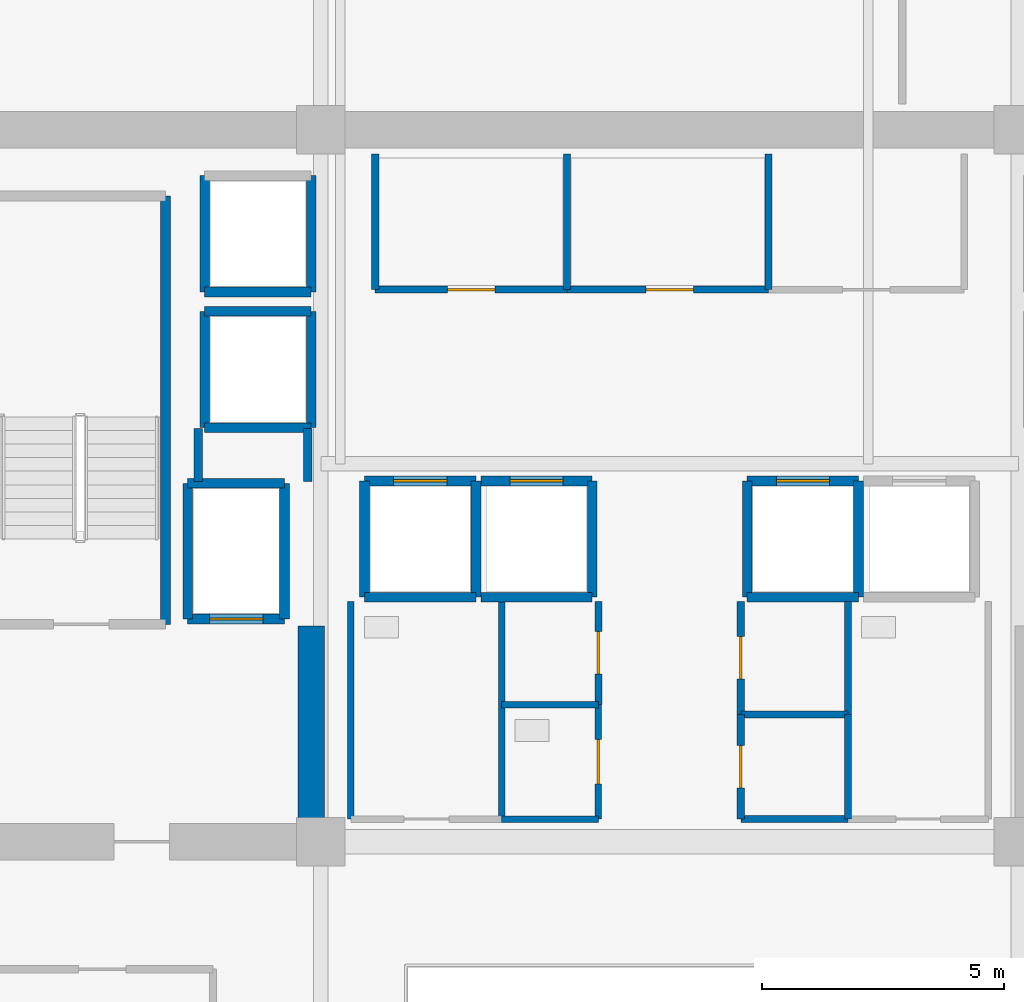
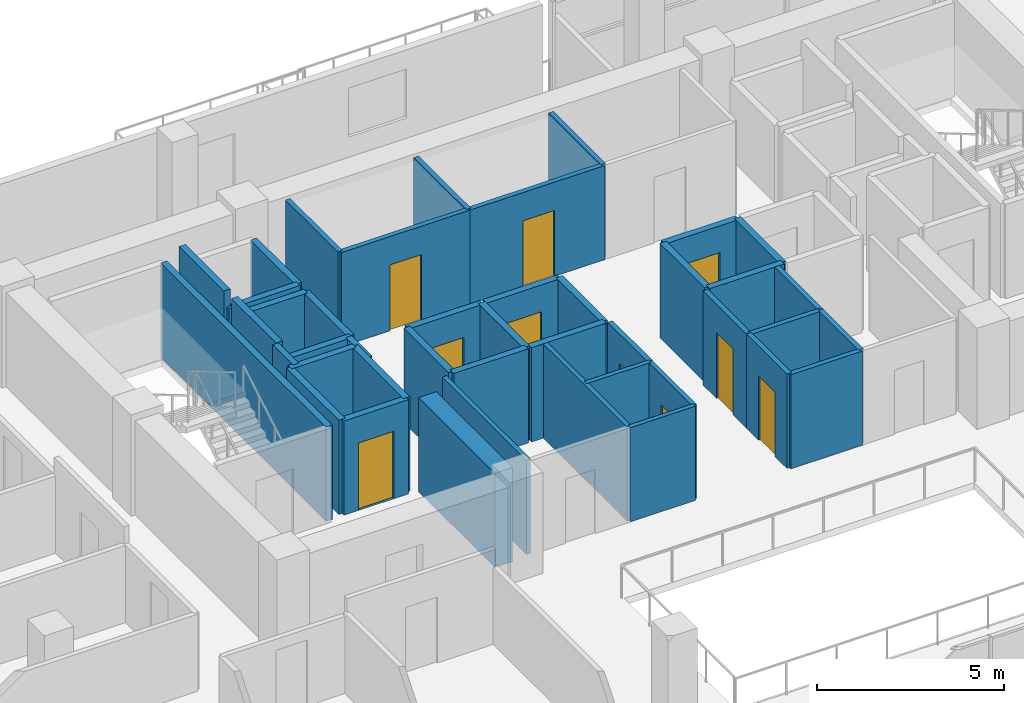
# One storey, part 16 of 23: 43 walls, 10 doors, 10 openings.
"""IFC4 building model written with IfcOpenShell, lengths in metres."""

from ifc_helpers import new_model, si_unit, direction, frame, frame_2d, origin, place, context, subcontext, project, spatial, rectangle, extrude, source, transform, mapped, material, layer, layer_set, type_object, element, fill, save


model = new_model("IFC4")

# Units and contexts
model_context = context("Model", 3, precision=1e-05, world=origin(), true_north=direction((0.0, 1.0)))
body_context = subcontext(model_context, "Body", "Model", "MODEL_VIEW")
ifc_project = project(units=[si_unit("LENGTHUNIT", "METRE"), si_unit("AREAUNIT", "SQUARE_METRE"), si_unit("VOLUMEUNIT", "CUBIC_METRE"), si_unit("PLANEANGLEUNIT", "RADIAN"), si_unit("MASSUNIT", "GRAM", prefix="KILO")], contexts=[model_context])

# Site, building, storey
site_placement = place(None, origin())
site = spatial("IfcSite", under=ifc_project, at=site_placement, CompositionType="ELEMENT")
building_placement = place(site_placement, origin())
building = spatial("IfcBuilding", under=site, at=building_placement, Name="Zarnakvel Exchange Tower", CompositionType="ELEMENT")
storey_placement = place(building_placement, frame((0.0, 0.0, 116.5)))
storey = spatial("IfcBuildingStorey", under=building, at=storey_placement, Name="L32", CompositionType="ELEMENT", Elevation=116.5)

# Wall
ifc_material_1 = material(Name="Concrete C60/75", Category="concrete")
ifc_layer_1 = layer(ifc_material_1, 0.550048828125)
ifc_layer_set_1 = layer_set([ifc_layer_1], Name="Concrete C60/75")
wall_type_1 = type_object("IfcWallType", Name="CW-C4", PredefinedType="SHEAR", material=ifc_layer_set_1)
wall_1_placement = place(storey_placement, frame((-7.39990234375, -0.824951171875, 0.0), z_axis=(0.0, 0.0, 1.0), x_axis=(0.0, 1.0, 0.0)))
element("IfcWall", 1, at=wall_1_placement, inside=storey, type_object=wall_type_1, Name="L32 Rear Core Shear Wall IW (CW-C4)", PredefinedType="SHEAR", context=body_context, shape_type="SweptSolid", body=[
    extrude(rectangle(XDim=4.074951171875, YDim=0.550048828125, at=frame_2d((2.03759765625, 0.0))), origin(), (0.0, 0.0, 1.0), 3.074951171875),
])

# Wall, opening, door
ifc_material_2 = material(Name="Fire-Rated Gypsum Stud Partition", Category="gypsum")
ifc_layer_2 = layer(ifc_material_2, 0.14990234375)
ifc_layer_set_2 = layer_set([ifc_layer_2], Name="Fire-Rated Gypsum Stud Partition")
wall_type_2 = type_object("IfcWallType", Name="PT-01", PredefinedType="PARTITIONING", material=ifc_layer_set_2)
wall_2_placement = place(storey_placement, frame((-2.1201171875, 10.199951171875, 0.0), z_axis=(0.0, 0.0, 1.0), x_axis=(-1.0, 0.0, 0.0)))
wall_2 = element("IfcWall", 2, at=wall_2_placement, inside=storey, type_object=wall_type_2, Name="L32 Partition Wall PWALL-L32-011 (PT-01)", PredefinedType="PARTITIONING", context=body_context, shape_type="SweptSolid", body=[
    extrude(rectangle(XDim=3.9599609375, YDim=0.14990234375, at=frame_2d((1.97998046875, 0.0))), origin(), (0.0, 0.0, 1.0), 3.074951171875),
])
opening_1_placement = place(wall_2_placement, frame((1.489990234375, 0.0, 0.0)))
opening_1 = element("IfcOpeningElement", 3, at=opening_1_placement, cuts=wall_2, Name="Opening D-L32-05", PredefinedType="OPENING", context=body_context, shape_type="SweptSolid", body=[
    extrude(rectangle(XDim=0.97998046875, YDim=2.14990234375, at=frame_2d((0.489990234375, 1.074951171875))), frame((0.0, 0.0849609375, 0.0), z_axis=(0.0, -1.0, 0.0), x_axis=(1.0, 0.0, 0.0)), (0.0, 0.0, 1.0), 0.169921875),
])
ifc_material_3 = material(Name="Timber Acoustic Veneer", Category="wood")
door_type_1 = type_object("IfcDoorType", Name="DT-05", OperationType="NOTDEFINED", PredefinedType="DOOR", material=ifc_material_3)
shared_shape_1 = source(origin(), body_context, "Body", "SweptSolid", [
    extrude(rectangle(XDim=0.97998046875, YDim=2.14990234375, at=frame_2d((0.489990234375, 1.074951171875))), frame((0.0, 0.02490234375, 0.0), z_axis=(0.0, -1.0, 0.0), x_axis=(1.0, 0.0, 0.0)), (0.0, 0.0, 1.0), 0.050048828125),
])
door_1_placement = place(opening_1_placement, origin())
door_1 = element("IfcDoor", 4, at=door_1_placement, inside=storey, type_object=door_type_1, Name="L32 Clearing Records Office Door D-L32-05", OperationType="SINGLE_SWING_LEFT", OverallHeight=2.14990234375, OverallWidth=0.97998046875, PredefinedType="DOOR", context=body_context, shape_type="MappedRepresentation", body=[
    mapped(shared_shape_1, transform((0.0, 0.0, 0.0), x_axis=(1.0, 0.0, 0.0), y_axis=(0.0, 1.0, 0.0), z_axis=(0.0, 0.0, 1.0), scale=1.0)),
])
fill(opening_1, door_1)

# Walls
for number, where, z_axis, x_axis, name in (
    (5, (-6.080078125, 10.199951171875, 0.0), (0.0, 0.0, 1.0), (0.0, 1.0, 0.0), "L32 Partition Wall PWALL-L32-012 (PT-01)"),
    (6, (-2.1201171875, 13.0, 0.0), (0.0, 0.0, 1.0), (0.0, -1.0, 0.0), "L32 Partition Wall PWALL-L32-013 (PT-01)"),
):
    element("IfcWall", number, at=place(storey_placement, frame(where, z_axis=z_axis, x_axis=x_axis)), inside=storey, type_object=wall_type_2, Name=name, PredefinedType="PARTITIONING", context=body_context, shape_type="SweptSolid", body=[
        extrude(rectangle(XDim=2.800048828125, YDim=0.14990234375, at=frame_2d((1.39990234375, 0.0))), origin(), (0.0, 0.0, 1.0), 3.074951171875),
    ])

# Wall, opening, door
wall_3_placement = place(storey_placement, frame((2.0400390625, 10.199951171875, 0.0), z_axis=(0.0, 0.0, 1.0), x_axis=(-1.0, 0.0, 0.0)))
wall_3 = element("IfcWall", 7, at=wall_3_placement, inside=storey, type_object=wall_type_2, Name="L32 Partition Wall PWALL-L32-014 (PT-01)", PredefinedType="PARTITIONING", context=body_context, shape_type="SweptSolid", body=[
    extrude(rectangle(XDim=4.16015625, YDim=0.14990234375, at=frame_2d((2.080078125, 0.0))), origin(), (0.0, 0.0, 1.0), 3.074951171875),
])
opening_2_placement = place(wall_3_placement, frame((1.550048828125, 0.0, 0.0)))
opening_2 = element("IfcOpeningElement", 8, at=opening_2_placement, cuts=wall_3, Name="Opening D-L32-06", PredefinedType="OPENING", context=body_context, shape_type="SweptSolid", body=[
    extrude(rectangle(XDim=0.97998046875, YDim=2.14990234375, at=frame_2d((0.489990234375, 1.074951171875))), frame((0.0, 0.0849609375, 0.0), z_axis=(0.0, -1.0, 0.0), x_axis=(1.0, 0.0, 0.0)), (0.0, 0.0, 1.0), 0.169921875),
])
door_2_placement = place(opening_2_placement, origin())
door_2 = element("IfcDoor", 9, at=door_2_placement, inside=storey, type_object=door_type_1, Name="L32 Brokerage Filing Room Door D-L32-06", OperationType="SINGLE_SWING_RIGHT", OverallHeight=2.14990234375, OverallWidth=0.97998046875, PredefinedType="DOOR", context=body_context, shape_type="MappedRepresentation", body=[
    mapped(shared_shape_1, transform((0.0, 0.0, 0.0), x_axis=(1.0, 0.0, 0.0), y_axis=(0.0, 1.0, 0.0), z_axis=(0.0, 0.0, 1.0), scale=1.0)),
])
fill(opening_2, door_2)

# Wall
wall_4_placement = place(storey_placement, frame((2.0400390625, 13.0, 0.0), z_axis=(0.0, 0.0, 1.0), x_axis=(0.0, -1.0, 0.0)))
element("IfcWall", 10, at=wall_4_placement, inside=storey, type_object=wall_type_2, Name="L32 Partition Wall PWALL-L32-015 (PT-01)", PredefinedType="PARTITIONING", context=body_context, shape_type="SweptSolid", body=[
    extrude(rectangle(XDim=2.800048828125, YDim=0.14990234375, at=frame_2d((1.39990234375, 0.0))), origin(), (0.0, 0.0, 1.0), 3.074951171875),
])

# Wall, opening, door
wall_5_placement = place(storey_placement, frame((-1.469970703125, 3.760009765625, 0.0), z_axis=(0.0, 0.0, 1.0), x_axis=(0.0, -1.0, 0.0)))
wall_5 = element("IfcWall", 11, at=wall_5_placement, inside=storey, type_object=wall_type_2, Name="L32 Partition Wall PWALL-L32-024 (PT-01)", PredefinedType="PARTITIONING", context=body_context, shape_type="SweptSolid", body=[
    extrude(rectangle(XDim=2.130126953125, YDim=0.14990234375, at=frame_2d((1.06494140625, 0.0))), origin(), (0.0, 0.0, 1.0), 3.074951171875),
])
opening_3_placement = place(wall_5_placement, frame((0.6201171875, 0.0, 0.0)))
opening_3 = element("IfcOpeningElement", 12, at=opening_3_placement, cuts=wall_5, Name="Opening D-L32-10", PredefinedType="OPENING", context=body_context, shape_type="SweptSolid", body=[
    extrude(rectangle(XDim=0.8798828125, YDim=2.10009765625, at=frame_2d((0.43994140625, 1.050048828125))), frame((0.0, 0.0849609375, 0.0), z_axis=(0.0, -1.0, 0.0), x_axis=(1.0, 0.0, 0.0)), (0.0, 0.0, 1.0), 0.169921875),
])
ifc_material_4 = material(Name="Painted Galvanised Steel S355", Category="steel")
door_type_2 = type_object("IfcDoorType", Name="DT-08", OperationType="NOTDEFINED", PredefinedType="DOOR", material=ifc_material_4)
shared_shape_2 = source(origin(), body_context, "Body", "SweptSolid", [
    extrude(rectangle(XDim=0.8798828125, YDim=2.10009765625, at=frame_2d((0.43994140625, 1.050048828125))), frame((0.0, 0.02490234375, 0.0), z_axis=(0.0, -1.0, 0.0), x_axis=(1.0, 0.0, 0.0)), (0.0, 0.0, 1.0), 0.050048828125),
])
door_3_placement = place(opening_3_placement, origin())
door_3 = element("IfcDoor", 13, at=door_3_placement, inside=storey, type_object=door_type_2, Name="L32 Core Comms Room Door D-L32-10", OperationType="SINGLE_SWING_RIGHT", OverallHeight=2.10009765625, OverallWidth=0.8798828125, PredefinedType="DOOR", context=body_context, shape_type="MappedRepresentation", body=[
    mapped(shared_shape_2, transform((0.0, 0.0, 0.0), x_axis=(1.0, 0.0, 0.0), y_axis=(0.0, 1.0, 0.0), z_axis=(0.0, 0.0, 1.0), scale=1.0)),
])
fill(opening_3, door_3)

# Walls
for number, where, z_axis, x_axis, name in (
    (14, (3.679931640625, -0.72998046875, 0.0), (0.0, 0.0, 1.0), (-1.0, 0.0, 0.0), "L32 Partition Wall PWALL-L32-025 (PT-01)"),
    (15, (1.469970703125, 1.429931640625, 0.0), (0.0, 0.0, 1.0), (1.0, 0.0, 0.0), "L32 Partition Wall PWALL-L32-026 (PT-01)"),
):
    element("IfcWall", number, at=place(storey_placement, frame(where, z_axis=z_axis, x_axis=x_axis)), inside=storey, type_object=wall_type_2, Name=name, PredefinedType="PARTITIONING", context=body_context, shape_type="SweptSolid", body=[
        extrude(rectangle(XDim=2.2099609375, YDim=0.14990234375, at=frame_2d((1.10498046875, 0.0))), origin(), (0.0, 0.0, 1.0), 3.074951171875),
    ])

# Wall, opening, door
wall_6_placement = place(storey_placement, frame((1.469970703125, -0.72998046875, 0.0), z_axis=(0.0, 0.0, 1.0), x_axis=(0.0, 1.0, 0.0)))
wall_6 = element("IfcWall", 16, at=wall_6_placement, inside=storey, type_object=wall_type_2, Name="L32 Partition Wall PWALL-L32-027 (PT-01)", PredefinedType="PARTITIONING", context=body_context, shape_type="SweptSolid", body=[
    extrude(rectangle(XDim=2.159912109375, YDim=0.14990234375, at=frame_2d((1.080078125, 0.0))), origin(), (0.0, 0.0, 1.0), 3.074951171875),
])
opening_4_placement = place(wall_6_placement, frame((0.639892578125, 0.0, 0.0)))
opening_4 = element("IfcOpeningElement", 17, at=opening_4_placement, cuts=wall_6, Name="Opening D-L32-11", PredefinedType="OPENING", context=body_context, shape_type="SweptSolid", body=[
    extrude(rectangle(XDim=0.8798828125, YDim=2.10009765625, at=frame_2d((0.43994140625, 1.050048828125))), frame((0.0, 0.0849609375, 0.0), z_axis=(0.0, -1.0, 0.0), x_axis=(1.0, 0.0, 0.0)), (0.0, 0.0, 1.0), 0.169921875),
])
door_4_placement = place(opening_4_placement, origin())
door_4 = element("IfcDoor", 18, at=door_4_placement, inside=storey, type_object=door_type_2, Name="L32 Janitor Store Door D-L32-11", OperationType="SINGLE_SWING_LEFT", OverallHeight=2.10009765625, OverallWidth=0.8798828125, PredefinedType="DOOR", context=body_context, shape_type="MappedRepresentation", body=[
    mapped(shared_shape_2, transform((0.0, 0.0, 0.0), x_axis=(1.0, 0.0, 0.0), y_axis=(0.0, 1.0, 0.0), z_axis=(0.0, 0.0, 1.0), scale=1.0)),
])
fill(opening_4, door_4)

# Wall
wall_7_placement = place(storey_placement, frame((3.679931640625, 1.429931640625, 0.0), z_axis=(0.0, 0.0, 1.0), x_axis=(0.0, -1.0, 0.0)))
element("IfcWall", 19, at=wall_7_placement, inside=storey, type_object=wall_type_2, Name="L32 Partition Wall PWALL-L32-028 (PT-01)", PredefinedType="PARTITIONING", context=body_context, shape_type="SweptSolid", body=[
    extrude(rectangle(XDim=2.159912109375, YDim=0.14990234375, at=frame_2d((1.080078125, 0.0))), origin(), (0.0, 0.0, 1.0), 3.074951171875),
])

# Wall, opening, door
wall_8_placement = place(storey_placement, frame((1.469970703125, 1.429931640625, 0.0), z_axis=(0.0, 0.0, 1.0), x_axis=(0.0, 1.0, 0.0)))
wall_8 = element("IfcWall", 20, at=wall_8_placement, inside=storey, type_object=wall_type_2, Name="L32 Partition Wall PWALL-L32-029 (PT-01)", PredefinedType="PARTITIONING", context=body_context, shape_type="SweptSolid", body=[
    extrude(rectangle(XDim=2.330078125, YDim=0.14990234375, at=frame_2d((1.1650390625, 0.0))), origin(), (0.0, 0.0, 1.0), 3.074951171875),
])
opening_5_placement = place(wall_8_placement, frame((0.72998046875, 0.0, 0.0)))
opening_5 = element("IfcOpeningElement", 21, at=opening_5_placement, cuts=wall_8, Name="Opening D-L32-12", PredefinedType="OPENING", context=body_context, shape_type="SweptSolid", body=[
    extrude(rectangle(XDim=0.8798828125, YDim=2.14990234375, at=frame_2d((0.43994140625, 1.074951171875))), frame((0.0, 0.0849609375, 0.0), z_axis=(0.0, -1.0, 0.0), x_axis=(1.0, 0.0, 0.0)), (0.0, 0.0, 1.0), 0.169921875),
])
shared_shape_3 = source(origin(), body_context, "Body", "SweptSolid", [
    extrude(rectangle(XDim=0.8798828125, YDim=2.14990234375, at=frame_2d((0.43994140625, 1.074951171875))), frame((0.0, 0.02490234375, 0.0), z_axis=(0.0, -1.0, 0.0), x_axis=(1.0, 0.0, 0.0)), (0.0, 0.0, 1.0), 0.050048828125),
])
door_5_placement = place(opening_5_placement, origin())
door_5 = element("IfcDoor", 22, at=door_5_placement, inside=storey, type_object=door_type_1, Name="L32 Stationery Store Door D-L32-12", OperationType="SINGLE_SWING_RIGHT", OverallHeight=2.14990234375, OverallWidth=0.8798828125, PredefinedType="DOOR", context=body_context, shape_type="MappedRepresentation", body=[
    mapped(shared_shape_3, transform((0.0, 0.0, 0.0), x_axis=(1.0, 0.0, 0.0), y_axis=(0.0, 1.0, 0.0), z_axis=(0.0, 0.0, 1.0), scale=1.0)),
])
fill(opening_5, door_5)

# Walls
wall_9_placement = place(storey_placement, frame((3.679931640625, 3.760009765625, 0.0), z_axis=(0.0, 0.0, 1.0), x_axis=(0.0, -1.0, 0.0)))
element("IfcWall", 23, at=wall_9_placement, inside=storey, type_object=wall_type_2, Name="L32 Partition Wall PWALL-L32-030 (PT-01)", PredefinedType="PARTITIONING", context=body_context, shape_type="SweptSolid", body=[
    extrude(rectangle(XDim=2.330078125, YDim=0.14990234375, at=frame_2d((1.1650390625, 0.0))), origin(), (0.0, 0.0, 1.0), 3.074951171875),
])
ifc_layer_3 = layer(ifc_material_2, 0.179931640625)
ifc_layer_set_3 = layer_set([ifc_layer_3], Name="Fire-Rated Gypsum Stud Partition")
wall_type_3 = type_object("IfcWallType", Name="PT-02", PredefinedType="PARTITIONING", material=ifc_layer_set_3)
wall_10_placement = place(storey_placement, frame((-9.72998046875, 6.239990234375, 0.0), z_axis=(0.0, 0.0, 1.0), x_axis=(0.0, 1.0, 0.0)))
element("IfcWall", 24, at=wall_10_placement, inside=storey, type_object=wall_type_3, Name="L32 Partition Wall PWALL-L32-007 (PT-02)", PredefinedType="PARTITIONING", context=body_context, shape_type="SweptSolid", body=[
    extrude(rectangle(XDim=1.090087890625, YDim=0.179931640625, at=frame_2d((0.544921875, 0.0))), origin(), (0.0, 0.0, 1.0), 3.074951171875),
])
wall_11_placement = place(storey_placement, frame((-7.469970703125, 7.330078125, 0.0), z_axis=(0.0, 0.0, 1.0), x_axis=(0.0, -1.0, 0.0)))
element("IfcWall", 25, at=wall_11_placement, inside=storey, type_object=wall_type_3, Name="L32 Partition Wall PWALL-L32-008 (PT-02)", PredefinedType="PARTITIONING", context=body_context, shape_type="SweptSolid", body=[
    extrude(rectangle(XDim=1.090087890625, YDim=0.179931640625, at=frame_2d((0.544921875, 0.0))), origin(), (0.0, 0.0, 1.0), 2.514892578125),
])
ifc_material_5 = material(Name="Moisture-Resistant Tile-Faced Partition", Category="gypsum")
ifc_layer_4 = layer(ifc_material_5, 0.135009765625)
ifc_layer_set_4 = layer_set([ifc_layer_4], Name="Moisture-Resistant Tile-Faced Partition")
wall_type_4 = type_object("IfcWallType", Name="PT-03", PredefinedType="PARTITIONING", material=ifc_layer_set_4)
for number, where, z_axis, x_axis, name in (
    (26, (-6.580078125, -0.72998046875, 0.0), (0.0, 0.0, 1.0), (0.0, 1.0, 0.0), "L32 Partition Wall PWALL-L32-019 (PT-03)"),
    (27, (-3.469970703125, 3.760009765625, 0.0), (0.0, 0.0, 1.0), (0.0, -1.0, 0.0), "L32 Partition Wall PWALL-L32-020 (PT-03)"),
):
    element("IfcWall", number, at=place(storey_placement, frame(where, z_axis=z_axis, x_axis=x_axis)), inside=storey, type_object=wall_type_4, Name=name, PredefinedType="PARTITIONING", context=body_context, shape_type="SweptSolid", body=[
        extrude(rectangle(XDim=4.489990234375, YDim=0.135009765625, at=frame_2d((2.2451171875, 0.0))), origin(), (0.0, 0.0, 1.0), 3.074951171875),
    ])
for number, where, z_axis, x_axis, name in (
    (28, (-1.469970703125, -0.72998046875, 0.0), (0.0, 0.0, 1.0), (-1.0, 0.0, 0.0), "L32 Partition Wall PWALL-L32-021 (PT-03)"),
    (29, (-3.469970703125, 1.6298828125, 0.0), (0.0, 0.0, 1.0), (1.0, 0.0, 0.0), "L32 Partition Wall PWALL-L32-022 (PT-03)"),
):
    element("IfcWall", number, at=place(storey_placement, frame(where, z_axis=z_axis, x_axis=x_axis)), inside=storey, type_object=wall_type_4, Name=name, PredefinedType="PARTITIONING", context=body_context, shape_type="SweptSolid", body=[
        extrude(rectangle(XDim=2.0, YDim=0.135009765625, at=frame_2d((1.0, 0.0))), origin(), (0.0, 0.0, 1.0), 3.074951171875),
    ])

# Wall, opening, door
wall_12_placement = place(storey_placement, frame((-1.469970703125, 1.6298828125, 0.0), z_axis=(0.0, 0.0, 1.0), x_axis=(0.0, -1.0, 0.0)))
wall_12 = element("IfcWall", 30, at=wall_12_placement, inside=storey, type_object=wall_type_4, Name="L32 Partition Wall PWALL-L32-023 (PT-03)", PredefinedType="PARTITIONING", context=body_context, shape_type="SweptSolid", body=[
    extrude(rectangle(XDim=2.35986328125, YDim=0.135009765625, at=frame_2d((1.179931640625, 0.0))), origin(), (0.0, 0.0, 1.0), 3.074951171875),
])
opening_6_placement = place(wall_12_placement, frame((0.719970703125, 0.0, 0.0)))
opening_6 = element("IfcOpeningElement", 31, at=opening_6_placement, cuts=wall_12, Name="Opening D-L32-09", PredefinedType="OPENING", context=body_context, shape_type="SweptSolid", body=[
    extrude(rectangle(XDim=0.919921875, YDim=2.10009765625, at=frame_2d((0.4599609375, 1.050048828125))), frame((0.0, 0.077392578125, 0.0), z_axis=(0.0, -1.0, 0.0), x_axis=(1.0, 0.0, 0.0)), (0.0, 0.0, 1.0), 0.155029296875),
])
ifc_material_6 = material(Name="Moisture-Resistant Laminate Timber", Category="wood")
door_type_3 = type_object("IfcDoorType", Name="DT-07", OperationType="NOTDEFINED", PredefinedType="DOOR", material=ifc_material_6)
shared_shape_4 = source(origin(), body_context, "Body", "SweptSolid", [
    extrude(rectangle(XDim=0.919921875, YDim=2.10009765625, at=frame_2d((0.4599609375, 1.050048828125))), frame((0.0, 0.02490234375, 0.0), z_axis=(0.0, -1.0, 0.0), x_axis=(1.0, 0.0, 0.0)), (0.0, 0.0, 1.0), 0.050048828125),
])
door_6_placement = place(opening_6_placement, origin())
door_6 = element("IfcDoor", 32, at=door_6_placement, inside=storey, type_object=door_type_3, Name="L32 Accessible Toilet Door D-L32-09", OperationType="SINGLE_SWING_LEFT", OverallHeight=2.10009765625, OverallWidth=0.919921875, PredefinedType="DOOR", context=body_context, shape_type="MappedRepresentation", body=[
    mapped(shared_shape_4, transform((0.0, 0.0, 0.0), x_axis=(1.0, 0.0, 0.0), y_axis=(0.0, 1.0, 0.0), z_axis=(0.0, 0.0, 1.0), scale=1.0)),
])
fill(opening_6, door_6)

ifc_material_7 = material(Name="Concrete C40/50", Category="concrete")
ifc_layer_5 = layer(ifc_material_7, 0.199951171875)
ifc_layer_set_5 = layer_set([ifc_layer_5], Name="Concrete C40/50")
wall_type_5 = type_object("IfcWallType", Name="SW-01", PredefinedType="SOLIDWALL", material=ifc_layer_set_5)
wall_13_placement = place(storey_placement, frame((-7.949951171875, 3.39990234375, 0.0), z_axis=(0.0, 0.0, 1.0), x_axis=(-1.0, 0.0, 0.0)))
wall_13 = element("IfcWall", 33, at=wall_13_placement, inside=storey, type_object=wall_type_5, Name="L32 FL-01 Hoistway Wall South", PredefinedType="SOLIDWALL", context=body_context, shape_type="SweptSolid", body=[
    extrude(rectangle(XDim=2.0, YDim=0.199951171875, at=frame_2d((1.0, 0.0))), origin(), (0.0, 0.0, 1.0), 3.074951171875),
])
opening_7_placement = place(wall_13_placement, frame((0.449951171875, 0.0, 0.0)))
opening_7 = element("IfcOpeningElement", 34, at=opening_7_placement, cuts=wall_13, Name="Opening LD-FL-01-L32", PredefinedType="OPENING", context=body_context, shape_type="SweptSolid", body=[
    extrude(rectangle(XDim=1.10009765625, YDim=2.199951171875, at=frame_2d((0.550048828125, 1.10009765625))), frame((0.0, 0.10986328125, 0.0), z_axis=(0.0, -1.0, 0.0), x_axis=(1.0, 0.0, 0.0)), (0.0, 0.0, 1.0), 0.219970703125),
])
ifc_material_8 = material(Name="Brushed Stainless Steel", Category="steel")
door_type_4 = type_object("IfcDoorType", Name="LDT-01", OperationType="NOTDEFINED", PredefinedType="DOOR", material=ifc_material_8)
shared_shape_5 = source(origin(), body_context, "Body", "SweptSolid", [
    extrude(rectangle(XDim=1.10009765625, YDim=2.199951171875, at=frame_2d((0.550048828125, 1.10009765625))), frame((0.0, 0.02490234375, 0.0), z_axis=(0.0, -1.0, 0.0), x_axis=(1.0, 0.0, 0.0)), (0.0, 0.0, 1.0), 0.050048828125),
])
door_7_placement = place(opening_7_placement, origin())
door_7 = element("IfcDoor", 35, at=door_7_placement, inside=storey, type_object=door_type_4, Name="L32 FL-01 Lift Landing Door LD-FL-01-L32", OperationType="DOUBLE_DOOR_SLIDING", OverallHeight=2.199951171875, OverallWidth=1.10009765625, PredefinedType="DOOR", context=body_context, shape_type="MappedRepresentation", body=[
    mapped(shared_shape_5, transform((0.0, 0.0, 0.0), x_axis=(1.0, 0.0, 0.0), y_axis=(0.0, 1.0, 0.0), z_axis=(0.0, 0.0, 1.0), scale=1.0)),
])
fill(opening_7, door_7)

# Walls
wall_14_placement = place(storey_placement, frame((-9.949951171875, 6.199951171875, 0.0), z_axis=(0.0, 0.0, 1.0), x_axis=(1.0, 0.0, 0.0)))
element("IfcWall", 36, at=wall_14_placement, inside=storey, type_object=wall_type_5, Name="L32 FL-01 Hoistway Wall North", PredefinedType="SOLIDWALL", context=body_context, shape_type="SweptSolid", body=[
    extrude(rectangle(XDim=2.0, YDim=0.199951171875, at=frame_2d((1.0, 0.0))), origin(), (0.0, 0.0, 1.0), 3.074951171875),
])
for number, where, z_axis, x_axis, name in (
    (37, (-9.949951171875, 3.39990234375, 0.0), (0.0, 0.0, 1.0), (0.0, 1.0, 0.0), "L32 FL-01 Hoistway Wall West"),
    (38, (-7.949951171875, 6.199951171875, 0.0), (0.0, 0.0, 1.0), (0.0, -1.0, 0.0), "L32 FL-01 Hoistway Wall East"),
):
    element("IfcWall", number, at=place(storey_placement, frame(where, z_axis=z_axis, x_axis=x_axis)), inside=storey, type_object=wall_type_5, Name=name, PredefinedType="SOLIDWALL", context=body_context, shape_type="SweptSolid", body=[
        extrude(rectangle(XDim=2.800048828125, YDim=0.199951171875, at=frame_2d((1.39990234375, 0.0))), origin(), (0.0, 0.0, 1.0), 3.074951171875),
    ])
wall_15_placement = place(storey_placement, frame((-4.0, 3.85009765625, 0.0), z_axis=(0.0, 0.0, 1.0), x_axis=(-1.0, 0.0, 0.0)))
element("IfcWall", 39, at=wall_15_placement, inside=storey, type_object=wall_type_5, Name="L32 PL-05 Hoistway Wall South", PredefinedType="SOLIDWALL", context=body_context, shape_type="SweptSolid", body=[
    extrude(rectangle(XDim=2.300048828125, YDim=0.199951171875, at=frame_2d((1.14990234375, 0.0))), origin(), (0.0, 0.0, 1.0), 3.074951171875),
])

# Wall, opening, door
wall_16_placement = place(storey_placement, frame((-6.300048828125, 6.25, 0.0), z_axis=(0.0, 0.0, 1.0), x_axis=(1.0, 0.0, 0.0)))
wall_16 = element("IfcWall", 40, at=wall_16_placement, inside=storey, type_object=wall_type_5, Name="L32 PL-05 Hoistway Wall North", PredefinedType="SOLIDWALL", context=body_context, shape_type="SweptSolid", body=[
    extrude(rectangle(XDim=2.300048828125, YDim=0.199951171875, at=frame_2d((1.14990234375, 0.0))), origin(), (0.0, 0.0, 1.0), 3.074951171875),
])
opening_8_placement = place(wall_16_placement, frame((0.60009765625, 0.0, 0.0)))
opening_8 = element("IfcOpeningElement", 41, at=opening_8_placement, cuts=wall_16, Name="Opening LD-PL-05-L32", PredefinedType="OPENING", context=body_context, shape_type="SweptSolid", body=[
    extrude(rectangle(XDim=1.10009765625, YDim=2.199951171875, at=frame_2d((0.550048828125, 1.10009765625))), frame((0.0, 0.10986328125, 0.0), z_axis=(0.0, -1.0, 0.0), x_axis=(1.0, 0.0, 0.0)), (0.0, 0.0, 1.0), 0.219970703125),
])
ifc_material_9 = material(Name="Architectural Bronze Anodised Aluminium", Category="aluminium")
door_type_5 = type_object("IfcDoorType", Name="LDT-02", OperationType="NOTDEFINED", PredefinedType="DOOR", material=ifc_material_9)
door_8_placement = place(opening_8_placement, origin())
door_8 = element("IfcDoor", 42, at=door_8_placement, inside=storey, type_object=door_type_5, Name="L32 PL-05 Lift Landing Door LD-PL-05-L32", OperationType="DOUBLE_DOOR_SLIDING", OverallHeight=2.199951171875, OverallWidth=1.10009765625, PredefinedType="DOOR", context=body_context, shape_type="MappedRepresentation", body=[
    mapped(shared_shape_5, transform((0.0, 0.0, 0.0), x_axis=(1.0, 0.0, 0.0), y_axis=(0.0, 1.0, 0.0), z_axis=(0.0, 0.0, 1.0), scale=1.0)),
])
fill(opening_8, door_8)

# Walls
for number, where, z_axis, x_axis, name in (
    (43, (-6.300048828125, 3.85009765625, 0.0), (0.0, 0.0, 1.0), (0.0, 1.0, 0.0), "L32 PL-05 Hoistway Wall West"),
    (44, (-4.0, 6.25, 0.0), (0.0, 0.0, 1.0), (0.0, -1.0, 0.0), "L32 PL-05 Hoistway Wall East"),
):
    element("IfcWall", number, at=place(storey_placement, frame(where, z_axis=z_axis, x_axis=x_axis)), inside=storey, type_object=wall_type_5, Name=name, PredefinedType="SOLIDWALL", context=body_context, shape_type="SweptSolid", body=[
        extrude(rectangle(XDim=2.39990234375, YDim=0.199951171875, at=frame_2d((1.199951171875, 0.0))), origin(), (0.0, 0.0, 1.0), 3.074951171875),
    ])
wall_17_placement = place(storey_placement, frame((-1.60009765625, 3.85009765625, 0.0), z_axis=(0.0, 0.0, 1.0), x_axis=(-1.0, 0.0, 0.0)))
element("IfcWall", 45, at=wall_17_placement, inside=storey, type_object=wall_type_5, Name="L32 PL-06 Hoistway Wall South", PredefinedType="SOLIDWALL", context=body_context, shape_type="SweptSolid", body=[
    extrude(rectangle(XDim=2.2998046875, YDim=0.199951171875, at=frame_2d((1.14990234375, 0.0))), origin(), (0.0, 0.0, 1.0), 3.074951171875),
])

# Wall, opening, door
wall_18_placement = place(storey_placement, frame((-3.89990234375, 6.25, 0.0), z_axis=(0.0, 0.0, 1.0), x_axis=(1.0, 0.0, 0.0)))
wall_18 = element("IfcWall", 46, at=wall_18_placement, inside=storey, type_object=wall_type_5, Name="L32 PL-06 Hoistway Wall North", PredefinedType="SOLIDWALL", context=body_context, shape_type="SweptSolid", body=[
    extrude(rectangle(XDim=2.2998046875, YDim=0.199951171875, at=frame_2d((1.14990234375, 0.0))), origin(), (0.0, 0.0, 1.0), 3.074951171875),
])
opening_9_placement = place(wall_18_placement, frame((0.60009765625, 0.0, 0.0)))
opening_9 = element("IfcOpeningElement", 47, at=opening_9_placement, cuts=wall_18, Name="Opening LD-PL-06-L32", PredefinedType="OPENING", context=body_context, shape_type="SweptSolid", body=[
    extrude(rectangle(XDim=1.10009765625, YDim=2.199951171875, at=frame_2d((0.550048828125, 1.10009765625))), frame((0.0, 0.10986328125, 0.0), z_axis=(0.0, -1.0, 0.0), x_axis=(1.0, 0.0, 0.0)), (0.0, 0.0, 1.0), 0.219970703125),
])
door_9_placement = place(opening_9_placement, origin())
door_9 = element("IfcDoor", 48, at=door_9_placement, inside=storey, type_object=door_type_5, Name="L32 PL-06 Lift Landing Door LD-PL-06-L32", OperationType="DOUBLE_DOOR_SLIDING", OverallHeight=2.199951171875, OverallWidth=1.10009765625, PredefinedType="DOOR", context=body_context, shape_type="MappedRepresentation", body=[
    mapped(shared_shape_5, transform((0.0, 0.0, 0.0), x_axis=(1.0, 0.0, 0.0), y_axis=(0.0, 1.0, 0.0), z_axis=(0.0, 0.0, 1.0), scale=1.0)),
])
fill(opening_9, door_9)

# Walls
wall_19_placement = place(storey_placement, frame((-1.60009765625, 6.25, 0.0), z_axis=(0.0, 0.0, 1.0), x_axis=(0.0, -1.0, 0.0)))
element("IfcWall", 49, at=wall_19_placement, inside=storey, type_object=wall_type_5, Name="L32 PL-06 Hoistway Wall East", PredefinedType="SOLIDWALL", context=body_context, shape_type="SweptSolid", body=[
    extrude(rectangle(XDim=2.39990234375, YDim=0.199951171875, at=frame_2d((1.199951171875, 0.0))), origin(), (0.0, 0.0, 1.0), 3.074951171875),
])
wall_20_placement = place(storey_placement, frame((3.89990234375, 3.85009765625, 0.0), z_axis=(0.0, 0.0, 1.0), x_axis=(-1.0, 0.0, 0.0)))
element("IfcWall", 50, at=wall_20_placement, inside=storey, type_object=wall_type_5, Name="L32 PL-07 Hoistway Wall South", PredefinedType="SOLIDWALL", context=body_context, shape_type="SweptSolid", body=[
    extrude(rectangle(XDim=2.2998046875, YDim=0.199951171875, at=frame_2d((1.14990234375, 0.0))), origin(), (0.0, 0.0, 1.0), 3.074951171875),
])

# Wall, opening, door
wall_21_placement = place(storey_placement, frame((1.60009765625, 6.25, 0.0), z_axis=(0.0, 0.0, 1.0), x_axis=(1.0, 0.0, 0.0)))
wall_21 = element("IfcWall", 51, at=wall_21_placement, inside=storey, type_object=wall_type_5, Name="L32 PL-07 Hoistway Wall North", PredefinedType="SOLIDWALL", context=body_context, shape_type="SweptSolid", body=[
    extrude(rectangle(XDim=2.2998046875, YDim=0.199951171875, at=frame_2d((1.14990234375, 0.0))), origin(), (0.0, 0.0, 1.0), 3.074951171875),
])
opening_10_placement = place(wall_21_placement, frame((0.60009765625, 0.0, 0.0)))
opening_10 = element("IfcOpeningElement", 52, at=opening_10_placement, cuts=wall_21, Name="Opening LD-PL-07-L32", PredefinedType="OPENING", context=body_context, shape_type="SweptSolid", body=[
    extrude(rectangle(XDim=1.10009765625, YDim=2.199951171875, at=frame_2d((0.550048828125, 1.10009765625))), frame((0.0, 0.10986328125, 0.0), z_axis=(0.0, -1.0, 0.0), x_axis=(1.0, 0.0, 0.0)), (0.0, 0.0, 1.0), 0.219970703125),
])
door_10_placement = place(opening_10_placement, origin())
door_10 = element("IfcDoor", 53, at=door_10_placement, inside=storey, type_object=door_type_5, Name="L32 PL-07 Lift Landing Door LD-PL-07-L32", OperationType="DOUBLE_DOOR_SLIDING", OverallHeight=2.199951171875, OverallWidth=1.10009765625, PredefinedType="DOOR", context=body_context, shape_type="MappedRepresentation", body=[
    mapped(shared_shape_5, transform((0.0, 0.0, 0.0), x_axis=(1.0, 0.0, 0.0), y_axis=(0.0, 1.0, 0.0), z_axis=(0.0, 0.0, 1.0), scale=1.0)),
])
fill(opening_10, door_10)

# Walls
for number, where, z_axis, x_axis, name in (
    (54, (1.60009765625, 3.85009765625, 0.0), (0.0, 0.0, 1.0), (0.0, 1.0, 0.0), "L32 PL-07 Hoistway Wall West"),
    (55, (3.89990234375, 6.25, 0.0), (0.0, 0.0, 1.0), (0.0, -1.0, 0.0), "L32 PL-07 Hoistway Wall East"),
):
    element("IfcWall", number, at=place(storey_placement, frame(where, z_axis=z_axis, x_axis=x_axis)), inside=storey, type_object=wall_type_5, Name=name, PredefinedType="SOLIDWALL", context=body_context, shape_type="SweptSolid", body=[
        extrude(rectangle(XDim=2.39990234375, YDim=0.199951171875, at=frame_2d((1.199951171875, 0.0))), origin(), (0.0, 0.0, 1.0), 3.074951171875),
    ])
for number, where, z_axis, x_axis, name in (
    (56, (-7.39990234375, 7.35009765625, 0.0), (0.0, 0.0, 1.0), (-1.0, 0.0, 0.0), "L32 PL-09 Hoistway Wall South"),
    (57, (-9.60009765625, 9.75, 0.0), (0.0, 0.0, 1.0), (1.0, 0.0, 0.0), "L32 PL-09 Hoistway Wall North"),
):
    element("IfcWall", number, at=place(storey_placement, frame(where, z_axis=z_axis, x_axis=x_axis)), inside=storey, type_object=wall_type_5, Name=name, PredefinedType="SOLIDWALL", context=body_context, shape_type="SweptSolid", body=[
        extrude(rectangle(XDim=2.2001953125, YDim=0.199951171875, at=frame_2d((1.10009765625, 0.0))), origin(), (0.0, 0.0, 1.0), 2.514892578125),
    ])
wall_22_placement = place(storey_placement, frame((-9.60009765625, 7.35009765625, 0.0), z_axis=(0.0, 0.0, 1.0), x_axis=(0.0, 1.0, 0.0)))
element("IfcWall", 58, at=wall_22_placement, inside=storey, type_object=wall_type_5, Name="L32 PL-09 Hoistway Wall West", PredefinedType="SOLIDWALL", context=body_context, shape_type="SweptSolid", body=[
    extrude(rectangle(XDim=2.39990234375, YDim=0.199951171875, at=frame_2d((1.199951171875, 0.0))), origin(), (0.0, 0.0, 1.0), 3.074951171875),
])
wall_23_placement = place(storey_placement, frame((-7.39990234375, 9.75, 0.0), z_axis=(0.0, 0.0, 1.0), x_axis=(0.0, -1.0, 0.0)))
element("IfcWall", 59, at=wall_23_placement, inside=storey, type_object=wall_type_5, Name="L32 PL-09 Hoistway Wall East", PredefinedType="SOLIDWALL", context=body_context, shape_type="SweptSolid", body=[
    extrude(rectangle(XDim=2.39990234375, YDim=0.199951171875, at=frame_2d((1.199951171875, 0.0))), origin(), (0.0, 0.0, 1.0), 2.514892578125),
])
wall_24_placement = place(storey_placement, frame((-7.39990234375, 10.14990234375, 0.0), z_axis=(0.0, 0.0, 1.0), x_axis=(-1.0, 0.0, 0.0)))
element("IfcWall", 60, at=wall_24_placement, inside=storey, type_object=wall_type_5, Name="L32 PL-10 Hoistway Wall South", PredefinedType="SOLIDWALL", context=body_context, shape_type="SweptSolid", body=[
    extrude(rectangle(XDim=2.2001953125, YDim=0.199951171875, at=frame_2d((1.10009765625, 0.0))), origin(), (0.0, 0.0, 1.0), 2.514892578125),
])
wall_25_placement = place(storey_placement, frame((-9.60009765625, 10.14990234375, 0.0), z_axis=(0.0, 0.0, 1.0), x_axis=(0.0, 1.0, 0.0)))
element("IfcWall", 61, at=wall_25_placement, inside=storey, type_object=wall_type_5, Name="L32 PL-10 Hoistway Wall West", PredefinedType="SOLIDWALL", context=body_context, shape_type="SweptSolid", body=[
    extrude(rectangle(XDim=2.400146484375, YDim=0.199951171875, at=frame_2d((1.2001953125, 0.0))), origin(), (0.0, 0.0, 1.0), 3.074951171875),
])
wall_26_placement = place(storey_placement, frame((-7.39990234375, 12.550048828125, 0.0), z_axis=(0.0, 0.0, 1.0), x_axis=(0.0, -1.0, 0.0)))
element("IfcWall", 62, at=wall_26_placement, inside=storey, type_object=wall_type_5, Name="L32 PL-10 Hoistway Wall East", PredefinedType="SOLIDWALL", context=body_context, shape_type="SweptSolid", body=[
    extrude(rectangle(XDim=2.400146484375, YDim=0.199951171875, at=frame_2d((1.2001953125, 0.0))), origin(), (0.0, 0.0, 1.0), 2.514892578125),
])
ifc_layer_6 = layer(ifc_material_7, 0.199951171875)
ifc_layer_set_6 = layer_set([ifc_layer_6], Name="Concrete C40/50")
wall_type_6 = type_object("IfcWallType", Name="SW-02", PredefinedType="SOLIDWALL", material=ifc_layer_set_6)
wall_27_placement = place(storey_placement, frame((-10.409912109375, 12.1298828125, 0.0), z_axis=(0.0, 0.0, 1.0), x_axis=(0.0, -1.0, 0.0)))
element("IfcWall", 63, at=wall_27_placement, inside=storey, type_object=wall_type_6, Name="L32 Stairwell Core Wall PWALL-L32-003 (SW-02)", PredefinedType="SOLIDWALL", context=body_context, shape_type="SweptSolid", body=[
    extrude(rectangle(XDim=8.83984375, YDim=0.199951171875, at=frame_2d((4.419921875, 0.0))), origin(), (0.0, 0.0, 1.0), 3.074951171875),
])

save(model, "model.ifc")
